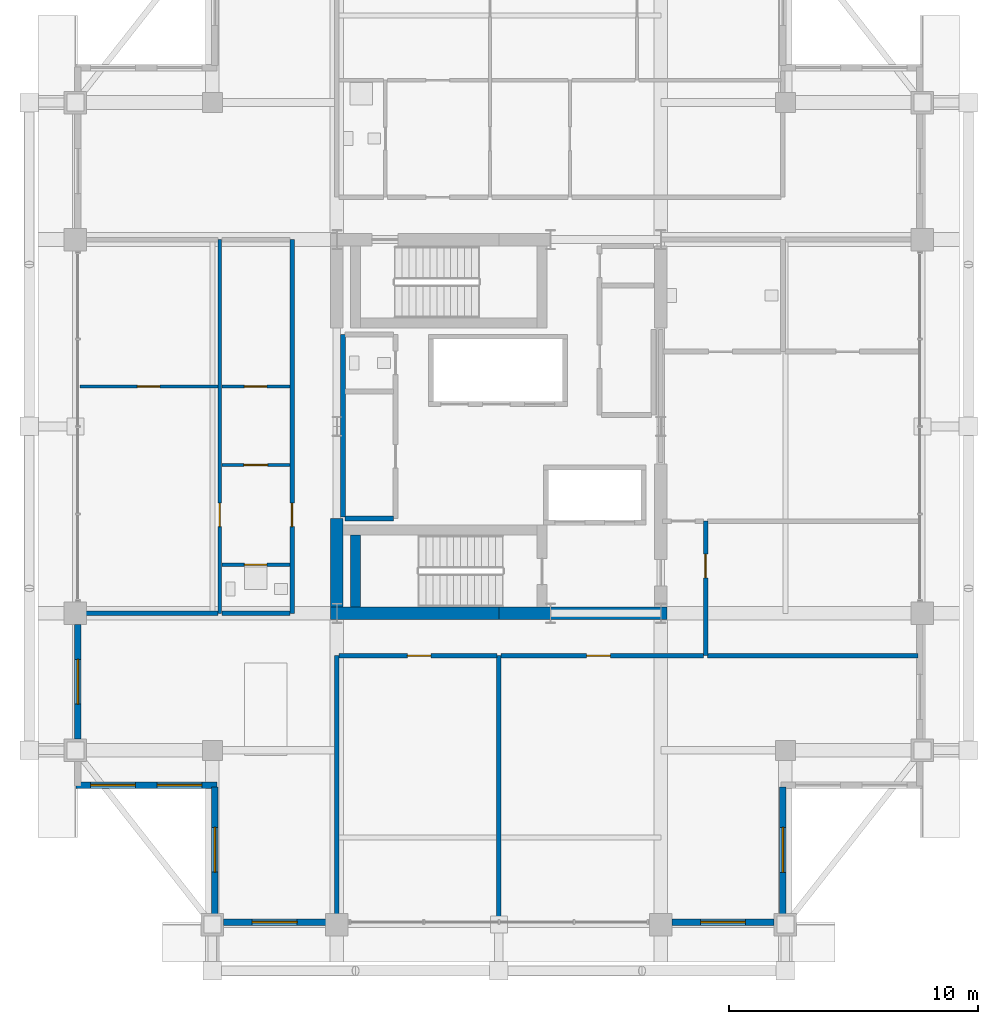
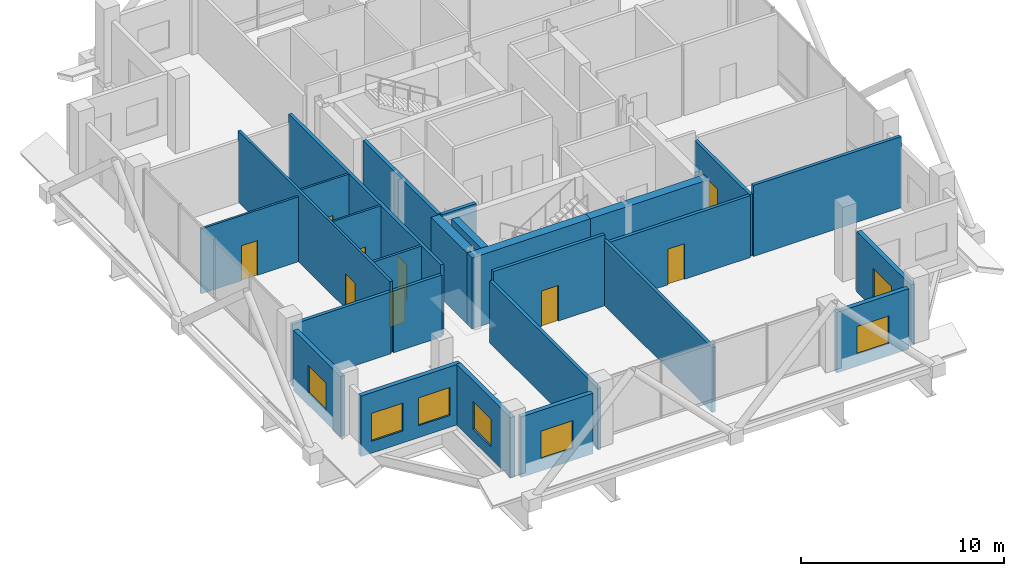
# One storey, part 20 of 27: 26 walls, 9 doors, 7 windows, 16 openings.
"""IFC4 building model written with IfcOpenShell, lengths in metres."""

from ifc_helpers import new_model, si_unit, direction, frame, frame_2d, origin, place, context, subcontext, project, spatial, rectangle, extrude, material, layer, layer_set, type_object, element, fill, save


model = new_model("IFC4")

# Units and contexts
model_context = context("Model", 3, precision=1e-05, world=origin(), true_north=direction((0.0, 1.0)))
body_context = subcontext(model_context, "Body", "Model", "MODEL_VIEW")
ifc_project = project(units=[si_unit("LENGTHUNIT", "METRE"), si_unit("AREAUNIT", "SQUARE_METRE"), si_unit("VOLUMEUNIT", "CUBIC_METRE"), si_unit("PLANEANGLEUNIT", "RADIAN"), si_unit("MASSUNIT", "GRAM", prefix="KILO")], contexts=[model_context])

# Site, building, storey
site_placement = place(None, origin())
site = spatial("IfcSite", under=ifc_project, at=site_placement, CompositionType="ELEMENT")
building_placement = place(site_placement, origin())
building = spatial("IfcBuilding", under=site, at=building_placement, Name="Barlavira Tower and Art Museum", CompositionType="ELEMENT")
storey_placement = place(building_placement, frame((0.0, 0.0, 217.800048828125)))
storey = spatial("IfcBuildingStorey", under=building, at=storey_placement, Name="L56", CompositionType="ELEMENT", Elevation=217.800048828125)

# Wall, opening, door
ifc_material_1 = material(Name="Gypsum acoustic stud partition", Category="gypsum")
ifc_layer_1 = layer(ifc_material_1, 0.1201171875, Name="Gypsum acoustic stud partition")
ifc_layer_set_1 = layer_set([ifc_layer_1], Name="Gypsum acoustic stud partition")
wall_type_1 = type_object("IfcWallType", Name="Apartment Internal Acoustic Partition 120", PredefinedType="PARTITIONING", material=ifc_layer_set_1)
wall_1_placement = place(storey_placement, frame((-11.1201171875, -1.550048828125, 0.0), z_axis=(0.0, 0.0, 1.0), x_axis=(1.0, 0.0, 0.0)))
wall_1 = element("IfcWall", 1, at=wall_1_placement, inside=storey, type_object=wall_type_1, Name="L56 Partition Wall 27", PredefinedType="PARTITIONING", context=body_context, shape_type="SweptSolid", body=[
    extrude(rectangle(XDim=2.740234375, YDim=0.1201171875, at=frame_2d((1.3701171875, 0.0))), origin(), (0.0, 0.0, 1.0), 4.280029296875),
])
opening_1_placement = place(wall_1_placement, frame((0.885009765625, 0.0, 0.0)))
opening_1 = element("IfcOpeningElement", 2, at=opening_1_placement, cuts=wall_1, Name="Opening D-02", PredefinedType="OPENING", context=body_context, shape_type="SweptSolid", body=[
    extrude(rectangle(XDim=0.949951171875, YDim=2.10009765625, at=frame_2d((0.47509765625, 1.050048828125))), frame((0.0, 0.070068359375, 0.0), z_axis=(0.0, -1.0, 0.0), x_axis=(1.0, 0.0, 0.0)), (0.0, 0.0, 1.0), 0.14013671875),
])
ifc_material_2 = material(Name="Engineered coastal hardwood", Category="wood")
door_type_1 = type_object("IfcDoorType", Name="Living and Salon Glazed-Leaf Door 950x2100", OperationType="NOTDEFINED", PredefinedType="DOOR", material=ifc_material_2)
door_1_placement = place(opening_1_placement, origin())
door_1 = element("IfcDoor", 3, at=door_1_placement, inside=storey, type_object=door_type_1, Name="Apartment SKY-W1 Kitchen Door", OperationType="SINGLE_SWING_RIGHT", OverallHeight=2.10009765625, OverallWidth=0.949951171875, PredefinedType="DOOR", context=body_context, shape_type="SweptSolid", body=[
    extrude(rectangle(XDim=0.949951171875, YDim=2.10009765625, at=frame_2d((0.47509765625, 1.050048828125))), frame((0.0, 0.02490234375, 0.0), z_axis=(0.0, -1.0, 0.0), x_axis=(1.0, 0.0, 0.0)), (0.0, 0.0, 1.0), 0.050048828125),
])
fill(opening_1, door_1)

wall_2_placement = place(storey_placement, frame((-16.820068359375, 1.60009765625, 0.0), z_axis=(0.0, 0.0, 1.0), x_axis=(1.0, 0.0, 0.0)))
wall_2 = element("IfcWall", 4, at=wall_2_placement, inside=storey, type_object=wall_type_1, Name="L56 Partition Wall 30", PredefinedType="PARTITIONING", context=body_context, shape_type="SweptSolid", body=[
    extrude(rectangle(XDim=5.5400390625, YDim=0.1201171875, at=frame_2d((2.77001953125, 0.0))), origin(), (0.0, 0.0, 1.0), 3.91796875),
])
opening_2_placement = place(wall_2_placement, frame((2.31005859375, 0.0, 0.0)))
opening_2 = element("IfcOpeningElement", 5, at=opening_2_placement, cuts=wall_2, Name="Opening D-01", PredefinedType="OPENING", context=body_context, shape_type="SweptSolid", body=[
    extrude(rectangle(XDim=0.89990234375, YDim=2.10009765625, at=frame_2d((0.449951171875, 1.050048828125))), frame((0.0, 0.070068359375, 0.0), z_axis=(0.0, -1.0, 0.0), x_axis=(1.0, 0.0, 0.0)), (0.0, 0.0, 1.0), 0.14013671875),
])
door_type_2 = type_object("IfcDoorType", Name="Internal Bedroom Timber Flush Door 900x2100", OperationType="NOTDEFINED", PredefinedType="DOOR", material=ifc_material_2)
door_2_placement = place(opening_2_placement, origin())
door_2 = element("IfcDoor", 6, at=door_2_placement, inside=storey, type_object=door_type_2, Name="Apartment SKY-W1 Bedroom 1 Door", OperationType="SINGLE_SWING_LEFT", OverallHeight=2.10009765625, OverallWidth=0.89990234375, PredefinedType="DOOR", context=body_context, shape_type="SweptSolid", body=[
    extrude(rectangle(XDim=0.89990234375, YDim=2.10009765625, at=frame_2d((0.449951171875, 1.050048828125))), frame((0.0, 0.02490234375, 0.0), z_axis=(0.0, -1.0, 0.0), x_axis=(1.0, 0.0, 0.0)), (0.0, 0.0, 1.0), 0.050048828125),
])
fill(opening_2, door_2)

wall_3_placement = place(storey_placement, frame((-11.1201171875, 1.60009765625, 0.0), z_axis=(0.0, 0.0, 1.0), x_axis=(1.0, 0.0, 0.0)))
wall_3 = element("IfcWall", 7, at=wall_3_placement, inside=storey, type_object=wall_type_1, Name="L56 Partition Wall 31", PredefinedType="PARTITIONING", context=body_context, shape_type="SweptSolid", body=[
    extrude(rectangle(XDim=2.740234375, YDim=0.1201171875, at=frame_2d((1.3701171875, 0.0))), origin(), (0.0, 0.0, 1.0), 4.280029296875),
])
opening_3_placement = place(wall_3_placement, frame((0.909912109375, 0.0, 0.0)))
opening_3 = element("IfcOpeningElement", 8, at=opening_3_placement, cuts=wall_3, Name="Opening D-01", PredefinedType="OPENING", context=body_context, shape_type="SweptSolid", body=[
    extrude(rectangle(XDim=0.89990234375, YDim=2.10009765625, at=frame_2d((0.449951171875, 1.050048828125))), frame((0.0, 0.070068359375, 0.0), z_axis=(0.0, -1.0, 0.0), x_axis=(1.0, 0.0, 0.0)), (0.0, 0.0, 1.0), 0.14013671875),
])
door_3_placement = place(opening_3_placement, origin())
door_3 = element("IfcDoor", 9, at=door_3_placement, inside=storey, type_object=door_type_2, Name="Apartment SKY-W1 Walk-In Dressing Room Door", OperationType="SINGLE_SWING_LEFT", OverallHeight=2.10009765625, OverallWidth=0.89990234375, PredefinedType="DOOR", context=body_context, shape_type="SweptSolid", body=[
    extrude(rectangle(XDim=0.89990234375, YDim=2.10009765625, at=frame_2d((0.449951171875, 1.050048828125))), frame((0.0, 0.02490234375, 0.0), z_axis=(0.0, -1.0, 0.0), x_axis=(1.0, 0.0, 0.0)), (0.0, 0.0, 1.0), 0.050048828125),
])
fill(opening_3, door_3)

# Walls
ifc_material_3 = material(Name="Concrete C60", Category="concrete")
ifc_layer_2 = layer(ifc_material_3, 0.5, Name="Concrete C60")
ifc_layer_set_2 = layer_set([ifc_layer_2], Name="Concrete C60")
wall_type_2 = type_object("IfcWallType", Name="Core Structural Shear Wall 500 Concrete C60", PredefinedType="SHEAR", material=ifc_layer_set_2)
for number, where, z_axis, x_axis, name in (
    (10, (-6.75, -7.5, 0.0), (0.0, 0.0, 1.0), (1.0, 0.0, 0.0), "L56 Core Shear Wall CS-SW"),
    (11, (0.0, -7.5, 0.0), (0.0, 0.0, 1.0), (1.0, 0.0, 0.0), "L56 Core Shear Wall CS-SE"),
):
    element("IfcWall", number, at=place(storey_placement, frame(where, z_axis=z_axis, x_axis=x_axis)), inside=storey, type_object=wall_type_2, Name=name, PredefinedType="SHEAR", context=body_context, shape_type="SweptSolid", body=[
        extrude(rectangle(XDim=6.75, YDim=0.5, at=frame_2d((3.375, 0.0))), origin(), (0.0, 0.0, 1.0), 4.280029296875),
    ])
wall_4_placement = place(storey_placement, frame((-6.5, -7.25, 0.0), z_axis=(0.0, 0.0, 1.0), x_axis=(0.0, 1.0, 0.0)))
element("IfcWall", 12, at=wall_4_placement, inside=storey, type_object=wall_type_2, Name="L56 Core Shear Wall CS-W1", PredefinedType="SHEAR", context=body_context, shape_type="SweptSolid", body=[
    extrude(rectangle(XDim=3.550048828125, YDim=0.5, at=frame_2d((1.77490234375, 0.0))), origin(), (0.0, 0.0, 1.0), 4.280029296875),
])
ifc_material_4 = material(Name="Autoclaved aerated concrete masonry", Category="masonry")
ifc_layer_3 = layer(ifc_material_4, 0.199951171875, Name="Autoclaved aerated concrete masonry")
ifc_layer_set_3 = layer_set([ifc_layer_3], Name="Autoclaved aerated concrete masonry")
wall_type_3 = type_object("IfcWallType", Name="Fire Compartment and Shaft Wall 200", PredefinedType="SOLIDWALL", material=ifc_layer_set_3)
wall_5_placement = place(storey_placement, frame((-6.25, -3.639892578125, 0.0), z_axis=(0.0, 0.0, 1.0), x_axis=(0.0, 1.0, 0.0)))
element("IfcWall", 13, at=wall_5_placement, inside=storey, type_object=wall_type_3, Name="L56 Partition Wall 5", PredefinedType="SOLIDWALL", context=body_context, shape_type="SweptSolid", body=[
    extrude(rectangle(XDim=7.33984375, YDim=0.199951171875, at=frame_2d((3.669921875, 0.0))), origin(), (0.0, 0.0, 1.0), 4.280029296875),
])
wall_6_placement = place(storey_placement, frame((-6.169921875, -3.699951171875, 0.0), z_axis=(0.0, 0.0, 1.0), x_axis=(1.0, 0.0, 0.0)))
element("IfcWall", 14, at=wall_6_placement, inside=storey, type_object=wall_type_3, Name="L56 Partition Wall 26", PredefinedType="SOLIDWALL", context=body_context, shape_type="SweptSolid", body=[
    extrude(rectangle(XDim=1.93994140625, YDim=0.199951171875, at=frame_2d((0.969970703125, 0.0))), origin(), (0.0, 0.0, 1.0), 4.280029296875),
])

# Wall, opening, door
ifc_layer_4 = layer(ifc_material_1, 0.179931640625, Name="Gypsum acoustic stud partition")
ifc_layer_set_4 = layer_set([ifc_layer_4], Name="Gypsum acoustic stud partition")
wall_type_4 = type_object("IfcWallType", Name="Inter-Tenancy Party Partition Wall 180", PredefinedType="PARTITIONING", material=ifc_layer_set_4)
wall_7_placement = place(storey_placement, frame((-8.300048828125, -7.5, 0.0), z_axis=(0.0, 0.0, 1.0), x_axis=(0.0, 1.0, 0.0)))
wall_7 = element("IfcWall", 15, at=wall_7_placement, inside=storey, type_object=wall_type_4, Name="L56 Partition Wall 2", PredefinedType="PARTITIONING", context=body_context, shape_type="SweptSolid", body=[
    extrude(rectangle(XDim=15.0, YDim=0.179931640625, at=frame_2d((7.5, 0.0))), origin(), (0.0, 0.0, 1.0), 4.280029296875),
])
opening_4_placement = place(wall_7_placement, frame((3.47509765625, 0.0, 0.0)))
opening_4 = element("IfcOpeningElement", 16, at=opening_4_placement, cuts=wall_7, Name="Opening FD-60", PredefinedType="OPENING", context=body_context, shape_type="SweptSolid", body=[
    extrude(rectangle(XDim=0.949951171875, YDim=2.14990234375, at=frame_2d((0.47509765625, 1.074951171875))), frame((0.0, 0.10009765625, 0.0), z_axis=(0.0, -1.0, 0.0), x_axis=(1.0, 0.0, 0.0)), (0.0, 0.0, 1.0), 0.199951171875),
])
ifc_material_5 = material(Name="Brushed stainless steel", Category="steel")
door_type_3 = type_object("IfcDoorType", Name="Apartment Entrance and Riser Fire Door 950x2150 FD60S", OperationType="NOTDEFINED", PredefinedType="DOOR", material=ifc_material_5)
door_4_placement = place(opening_4_placement, origin())
door_4 = element("IfcDoor", 17, at=door_4_placement, inside=storey, type_object=door_type_3, Name="Apartment Entrance Hall SKY-W1 Door", OperationType="SINGLE_SWING_LEFT", OverallHeight=2.14990234375, OverallWidth=0.949951171875, PredefinedType="DOOR", context=body_context, shape_type="SweptSolid", body=[
    extrude(rectangle(XDim=0.949951171875, YDim=2.14990234375, at=frame_2d((0.47509765625, 1.074951171875))), frame((0.0, 0.02490234375, 0.0), z_axis=(0.0, -1.0, 0.0), x_axis=(1.0, 0.0, 0.0)), (0.0, 0.0, 1.0), 0.050048828125),
])
fill(opening_4, door_4)

# Walls
wall_8_placement = place(storey_placement, frame((-6.5, -19.89990234375, 0.0), z_axis=(0.0, 0.0, 1.0), x_axis=(0.0, 1.0, 0.0)))
element("IfcWall", 18, at=wall_8_placement, inside=storey, type_object=wall_type_4, Name="L56 Partition Wall 3", PredefinedType="PARTITIONING", context=body_context, shape_type="SweptSolid", body=[
    extrude(rectangle(XDim=10.699951171875, YDim=0.179931640625, at=frame_2d((5.35009765625, 0.0))), origin(), (0.0, 0.0, 1.0), 3.725830078125),
])
wall_9_placement = place(storey_placement, frame((0.0, -19.89990234375, 0.0), z_axis=(0.0, 0.0, 1.0), x_axis=(0.0, 1.0, 0.0)))
element("IfcWall", 19, at=wall_9_placement, inside=storey, type_object=wall_type_4, Name="L56 Partition Wall 9", PredefinedType="PARTITIONING", context=body_context, shape_type="SweptSolid", body=[
    extrude(rectangle(XDim=10.699951171875, YDim=0.179931640625, at=frame_2d((5.35009765625, 0.0))), origin(), (0.0, 0.0, 1.0), 3.91796875),
])

# Wall, opening, door
wall_10_placement = place(storey_placement, frame((8.300048828125, -9.199951171875, 0.0), z_axis=(0.0, 0.0, 1.0), x_axis=(0.0, 1.0, 0.0)))
wall_10 = element("IfcWall", 20, at=wall_10_placement, inside=storey, type_object=wall_type_4, Name="L56 Partition Wall 15", PredefinedType="PARTITIONING", context=body_context, shape_type="SweptSolid", body=[
    extrude(rectangle(XDim=5.39990234375, YDim=0.179931640625, at=frame_2d((2.699951171875, 0.0))), origin(), (0.0, 0.0, 1.0), 3.725830078125),
])
opening_5_placement = place(wall_10_placement, frame((3.125, 0.0, 0.0)))
opening_5 = element("IfcOpeningElement", 21, at=opening_5_placement, cuts=wall_10, Name="Opening FD-60", PredefinedType="OPENING", context=body_context, shape_type="SweptSolid", body=[
    extrude(rectangle(XDim=0.949951171875, YDim=2.14990234375, at=frame_2d((0.47509765625, 1.074951171875))), frame((0.0, 0.10009765625, 0.0), z_axis=(0.0, -1.0, 0.0), x_axis=(1.0, 0.0, 0.0)), (0.0, 0.0, 1.0), 0.199951171875),
])
door_5_placement = place(opening_5_placement, origin())
door_5 = element("IfcDoor", 22, at=door_5_placement, inside=storey, type_object=door_type_3, Name="Shared Sky Cafe Preparation Kitchen Door", OperationType="SINGLE_SWING_LEFT", OverallHeight=2.14990234375, OverallWidth=0.949951171875, PredefinedType="DOOR", context=body_context, shape_type="SweptSolid", body=[
    extrude(rectangle(XDim=0.949951171875, YDim=2.14990234375, at=frame_2d((0.47509765625, 1.074951171875))), frame((0.0, 0.02490234375, 0.0), z_axis=(0.0, -1.0, 0.0), x_axis=(1.0, 0.0, 0.0)), (0.0, 0.0, 1.0), 0.050048828125),
])
fill(opening_5, door_5)

wall_11_placement = place(storey_placement, frame((-6.419921875, -9.199951171875, 0.0), z_axis=(0.0, 0.0, 1.0), x_axis=(1.0, 0.0, 0.0)))
wall_11 = element("IfcWall", 23, at=wall_11_placement, inside=storey, type_object=wall_type_4, Name="L56 Partition Wall 18", PredefinedType="PARTITIONING", context=body_context, shape_type="SweptSolid", body=[
    extrude(rectangle(XDim=6.33984375, YDim=0.179931640625, at=frame_2d((3.169921875, 0.0))), origin(), (0.0, 0.0, 1.0), 4.280029296875),
])
opening_6_placement = place(wall_11_placement, frame((2.7451171875, 0.0, 0.0)))
opening_6 = element("IfcOpeningElement", 24, at=opening_6_placement, cuts=wall_11, Name="Opening FD-60", PredefinedType="OPENING", context=body_context, shape_type="SweptSolid", body=[
    extrude(rectangle(XDim=0.949951171875, YDim=2.14990234375, at=frame_2d((0.47509765625, 1.074951171875))), frame((0.0, 0.10009765625, 0.0), z_axis=(0.0, -1.0, 0.0), x_axis=(1.0, 0.0, 0.0)), (0.0, 0.0, 1.0), 0.199951171875),
])
door_6_placement = place(opening_6_placement, origin())
door_6 = element("IfcDoor", 25, at=door_6_placement, inside=storey, type_object=door_type_3, Name="Sky Transfer Concierge Lounge Door", OperationType="SINGLE_SWING_LEFT", OverallHeight=2.14990234375, OverallWidth=0.949951171875, PredefinedType="DOOR", context=body_context, shape_type="SweptSolid", body=[
    extrude(rectangle(XDim=0.949951171875, YDim=2.14990234375, at=frame_2d((0.47509765625, 1.074951171875))), frame((0.0, 0.02490234375, 0.0), z_axis=(0.0, -1.0, 0.0), x_axis=(1.0, 0.0, 0.0)), (0.0, 0.0, 1.0), 0.050048828125),
])
fill(opening_6, door_6)

wall_12_placement = place(storey_placement, frame((0.080078125, -9.199951171875, 0.0), z_axis=(0.0, 0.0, 1.0), x_axis=(1.0, 0.0, 0.0)))
wall_12 = element("IfcWall", 26, at=wall_12_placement, inside=storey, type_object=wall_type_4, Name="L56 Partition Wall 19", PredefinedType="PARTITIONING", context=body_context, shape_type="SweptSolid", body=[
    extrude(rectangle(XDim=8.139892578125, YDim=0.179931640625, at=frame_2d((4.06982421875, 0.0))), origin(), (0.0, 0.0, 1.0), 3.725830078125),
])
opening_7_placement = place(wall_12_placement, frame((3.445068359375, 0.0, 0.0)))
opening_7 = element("IfcOpeningElement", 27, at=opening_7_placement, cuts=wall_12, Name="Opening FD-60", PredefinedType="OPENING", context=body_context, shape_type="SweptSolid", body=[
    extrude(rectangle(XDim=0.949951171875, YDim=2.14990234375, at=frame_2d((0.47509765625, 1.074951171875))), frame((0.0, 0.10009765625, 0.0), z_axis=(0.0, -1.0, 0.0), x_axis=(1.0, 0.0, 0.0)), (0.0, 0.0, 1.0), 0.199951171875),
])
door_7_placement = place(opening_7_placement, origin())
door_7 = element("IfcDoor", 28, at=door_7_placement, inside=storey, type_object=door_type_3, Name="Atlantic Horizon Sky Cafe and Bar Door", OperationType="SINGLE_SWING_RIGHT", OverallHeight=2.14990234375, OverallWidth=0.949951171875, PredefinedType="DOOR", context=body_context, shape_type="SweptSolid", body=[
    extrude(rectangle(XDim=0.949951171875, YDim=2.14990234375, at=frame_2d((0.47509765625, 1.074951171875))), frame((0.0, 0.02490234375, 0.0), z_axis=(0.0, -1.0, 0.0), x_axis=(1.0, 0.0, 0.0)), (0.0, 0.0, 1.0), 0.050048828125),
])
fill(opening_7, door_7)

# Walls
wall_13_placement = place(storey_placement, frame((8.3798828125, -9.199951171875, 0.0), z_axis=(0.0, 0.0, 1.0), x_axis=(1.0, 0.0, 0.0)))
element("IfcWall", 29, at=wall_13_placement, inside=storey, type_object=wall_type_4, Name="L56 Partition Wall 20", PredefinedType="PARTITIONING", context=body_context, shape_type="SweptSolid", body=[
    extrude(rectangle(XDim=8.440185546875, YDim=0.179931640625, at=frame_2d((4.22021484375, 0.0))), origin(), (0.0, 0.0, 1.0), 4.280029296875),
])
wall_14_placement = place(storey_placement, frame((-16.89990234375, -7.5, 0.0), z_axis=(0.0, 0.0, 1.0), x_axis=(1.0, 0.0, 0.0)))
element("IfcWall", 30, at=wall_14_placement, inside=storey, type_object=wall_type_4, Name="L56 Partition Wall 21", PredefinedType="PARTITIONING", context=body_context, shape_type="SweptSolid", body=[
    extrude(rectangle(XDim=5.619873046875, YDim=0.179931640625, at=frame_2d((2.81005859375, 0.0))), origin(), (0.0, 0.0, 1.0), 3.725830078125),
])
wall_15_placement = place(storey_placement, frame((-11.1201171875, -7.5, 0.0), z_axis=(0.0, 0.0, 1.0), x_axis=(1.0, 0.0, 0.0)))
element("IfcWall", 31, at=wall_15_placement, inside=storey, type_object=wall_type_4, Name="L56 Partition Wall 22", PredefinedType="PARTITIONING", context=body_context, shape_type="SweptSolid", body=[
    extrude(rectangle(XDim=2.740234375, YDim=0.179931640625, at=frame_2d((1.3701171875, 0.0))), origin(), (0.0, 0.0, 1.0), 3.725830078125),
])

# Wall, opening, door
ifc_layer_5 = layer(ifc_material_1, 0.139892578125, Name="Gypsum acoustic stud partition")
ifc_layer_set_5 = layer_set([ifc_layer_5], Name="Gypsum acoustic stud partition")
wall_type_5 = type_object("IfcWallType", Name="Moisture-Resistant Bathroom Partition 140", PredefinedType="PARTITIONING", material=ifc_layer_set_5)
wall_16_placement = place(storey_placement, frame((-11.199951171875, -7.5, 0.0), z_axis=(0.0, 0.0, 1.0), x_axis=(0.0, 1.0, 0.0)))
wall_16 = element("IfcWall", 32, at=wall_16_placement, inside=storey, type_object=wall_type_5, Name="L56 Partition Wall 1", PredefinedType="PARTITIONING", context=body_context, shape_type="SweptSolid", body=[
    extrude(rectangle(XDim=15.0, YDim=0.139892578125, at=frame_2d((7.5, 0.0))), origin(), (0.0, 0.0, 1.0), 4.280029296875),
])
opening_8_placement = place(wall_16_placement, frame((3.47509765625, 0.0, 0.0)))
opening_8 = element("IfcOpeningElement", 33, at=opening_8_placement, cuts=wall_16, Name="Opening D-02", PredefinedType="OPENING", context=body_context, shape_type="SweptSolid", body=[
    extrude(rectangle(XDim=0.949951171875, YDim=2.10009765625, at=frame_2d((0.47509765625, 1.050048828125))), frame((0.0, 0.080078125, 0.0), z_axis=(0.0, -1.0, 0.0), x_axis=(1.0, 0.0, 0.0)), (0.0, 0.0, 1.0), 0.159912109375),
])
door_8_placement = place(opening_8_placement, origin())
door_8 = element("IfcDoor", 34, at=door_8_placement, inside=storey, type_object=door_type_1, Name="Apartment SKY-W1 Living Lounge Door", OperationType="SINGLE_SWING_RIGHT", OverallHeight=2.10009765625, OverallWidth=0.949951171875, PredefinedType="DOOR", context=body_context, shape_type="SweptSolid", body=[
    extrude(rectangle(XDim=0.949951171875, YDim=2.10009765625, at=frame_2d((0.47509765625, 1.050048828125))), frame((0.0, 0.02490234375, 0.0), z_axis=(0.0, -1.0, 0.0), x_axis=(1.0, 0.0, 0.0)), (0.0, 0.0, 1.0), 0.050048828125),
])
fill(opening_8, door_8)

wall_17_placement = place(storey_placement, frame((-11.1201171875, -5.550048828125, 0.0), z_axis=(0.0, 0.0, 1.0), x_axis=(1.0, 0.0, 0.0)))
wall_17 = element("IfcWall", 35, at=wall_17_placement, inside=storey, type_object=wall_type_5, Name="L56 Partition Wall 23", PredefinedType="PARTITIONING", context=body_context, shape_type="SweptSolid", body=[
    extrude(rectangle(XDim=2.740234375, YDim=0.139892578125, at=frame_2d((1.3701171875, 0.0))), origin(), (0.0, 0.0, 1.0), 4.280029296875),
])
opening_9_placement = place(wall_17_placement, frame((0.909912109375, 0.0, 0.0)))
opening_9 = element("IfcOpeningElement", 36, at=opening_9_placement, cuts=wall_17, Name="Opening D-WC", PredefinedType="OPENING", context=body_context, shape_type="SweptSolid", body=[
    extrude(rectangle(XDim=0.89990234375, YDim=2.10009765625, at=frame_2d((0.449951171875, 1.050048828125))), frame((0.0, 0.080078125, 0.0), z_axis=(0.0, -1.0, 0.0), x_axis=(1.0, 0.0, 0.0)), (0.0, 0.0, 1.0), 0.159912109375),
])
door_type_4 = type_object("IfcDoorType", Name="Accessible Bathroom Flush Door 900x2100", OperationType="NOTDEFINED", PredefinedType="DOOR", material=ifc_material_2)
door_9_placement = place(opening_9_placement, origin())
door_9 = element("IfcDoor", 37, at=door_9_placement, inside=storey, type_object=door_type_4, Name="Apartment SKY-W1 Hall Bathroom Door", OperationType="SINGLE_SWING_RIGHT", OverallHeight=2.10009765625, OverallWidth=0.89990234375, PredefinedType="DOOR", context=body_context, shape_type="SweptSolid", body=[
    extrude(rectangle(XDim=0.89990234375, YDim=2.10009765625, at=frame_2d((0.449951171875, 1.050048828125))), frame((0.0, 0.02490234375, 0.0), z_axis=(0.0, -1.0, 0.0), x_axis=(1.0, 0.0, 0.0)), (0.0, 0.0, 1.0), 0.050048828125),
])
fill(opening_9, door_9)

# Wall, opening, window
ifc_material_6 = material(Name="Precast concrete C40", Category="concrete")
ifc_layer_6 = layer(ifc_material_6, 0.25, Name="Precast concrete C40")
ifc_layer_set_6 = layer_set([ifc_layer_6], Name="Precast concrete C40")
wall_type_6 = type_object("IfcWallType", Name="Notched Corner Spandrel Wall 250 Precast Concrete C40", PredefinedType="SOLIDWALL", material=ifc_layer_set_6)
wall_18_placement = place(storey_placement, frame((-11.054931640625, -19.89990234375, 0.0), z_axis=(0.0, 0.0, 1.0), x_axis=(1.0, 0.0, 0.0)))
wall_18 = element("IfcWall", 38, at=wall_18_placement, inside=storey, type_object=wall_type_6, Name="L56 Coastal Facade Pier Wall CW4-L56-S-1", PredefinedType="SOLIDWALL", context=body_context, shape_type="SweptSolid", body=[
    extrude(rectangle(XDim=4.10986328125, YDim=0.25, at=frame_2d((2.054931640625, 0.0))), origin(), (0.0, 0.0, 1.0), 3.64794921875),
])
opening_10_placement = place(wall_18_placement, frame((1.155029296875, 0.0, 0.719970703125)))
opening_10 = element("IfcOpeningElement", 39, at=opening_10_placement, cuts=wall_18, Name="Opening WN-01", PredefinedType="OPENING", context=body_context, shape_type="SweptSolid", body=[
    extrude(rectangle(XDim=1.800048828125, YDim=1.679931640625, at=frame_2d((0.89990234375, 0.83984375))), frame((0.0, 0.135009765625, 0.0), z_axis=(0.0, -1.0, 0.0), x_axis=(1.0, 0.0, 0.0)), (0.0, 0.0, 1.0), 0.27001953125),
])
ifc_material_7 = material(Name="Low-iron coastal laminated glass", Category="glass")
window_type = type_object("IfcWindowType", Name="Recessed Notch Corner Punch Window 1800x1680", PartitioningType="SINGLE_PANEL", PredefinedType="WINDOW", material=ifc_material_7)
window_1_placement = place(opening_10_placement, origin())
window_1 = element("IfcWindow", 40, at=window_1_placement, inside=storey, type_object=window_type, Name="L56 Punched Facade Window EWP-CW4-L56-S-1-1", OverallHeight=1.679931640625, OverallWidth=1.800048828125, PartitioningType="SINGLE_PANEL", PredefinedType="WINDOW", context=body_context, shape_type="SweptSolid", body=[
    extrude(rectangle(XDim=1.800048828125, YDim=1.679931640625, at=frame_2d((0.89990234375, 0.83984375))), frame((0.0, 0.030029296875, 0.0), z_axis=(0.0, -1.0, 0.0), x_axis=(1.0, 0.0, 0.0)), (0.0, 0.0, 1.0), 0.06005859375),
])
fill(opening_10, window_1)

wall_19_placement = place(storey_placement, frame((6.945068359375, -19.89990234375, 0.0), z_axis=(0.0, 0.0, 1.0), x_axis=(1.0, 0.0, 0.0)))
wall_19 = element("IfcWall", 41, at=wall_19_placement, inside=storey, type_object=wall_type_6, Name="L56 Coastal Facade Pier Wall CW4-L56-S-3", PredefinedType="SOLIDWALL", context=body_context, shape_type="SweptSolid", body=[
    extrude(rectangle(XDim=4.10986328125, YDim=0.25, at=frame_2d((2.054931640625, 0.0))), origin(), (0.0, 0.0, 1.0), 3.64794921875),
])
opening_11_placement = place(wall_19_placement, frame((1.155029296875, 0.0, 0.719970703125)))
opening_11 = element("IfcOpeningElement", 42, at=opening_11_placement, cuts=wall_19, Name="Opening WN-01", PredefinedType="OPENING", context=body_context, shape_type="SweptSolid", body=[
    extrude(rectangle(XDim=1.800048828125, YDim=1.679931640625, at=frame_2d((0.89990234375, 0.83984375))), frame((0.0, 0.135009765625, 0.0), z_axis=(0.0, -1.0, 0.0), x_axis=(1.0, 0.0, 0.0)), (0.0, 0.0, 1.0), 0.27001953125),
])
window_2_placement = place(opening_11_placement, origin())
window_2 = element("IfcWindow", 43, at=window_2_placement, inside=storey, type_object=window_type, Name="L56 Punched Facade Window EWP-CW4-L56-S-3-1", OverallHeight=1.679931640625, OverallWidth=1.800048828125, PartitioningType="SINGLE_PANEL", PredefinedType="WINDOW", context=body_context, shape_type="SweptSolid", body=[
    extrude(rectangle(XDim=1.800048828125, YDim=1.679931640625, at=frame_2d((0.89990234375, 0.83984375))), frame((0.0, 0.030029296875, 0.0), z_axis=(0.0, -1.0, 0.0), x_axis=(1.0, 0.0, 0.0)), (0.0, 0.0, 1.0), 0.06005859375),
])
fill(opening_11, window_2)

wall_20_placement = place(storey_placement, frame((-16.89990234375, -7.945068359375, 0.0), z_axis=(0.0, 0.0, 1.0), x_axis=(0.0, -1.0, 0.0)))
wall_20 = element("IfcWall", 44, at=wall_20_placement, inside=storey, type_object=wall_type_6, Name="L56 Coastal Facade Pier Wall CW4-L56-W-4", PredefinedType="SOLIDWALL", context=body_context, shape_type="SweptSolid", body=[
    extrude(rectangle(XDim=4.60986328125, YDim=0.25, at=frame_2d((2.304931640625, 0.0))), origin(), (0.0, 0.0, 1.0), 3.64794921875),
])
opening_12_placement = place(wall_20_placement, frame((1.405029296875, 0.0, 0.719970703125)))
opening_12 = element("IfcOpeningElement", 45, at=opening_12_placement, cuts=wall_20, Name="Opening WN-01", PredefinedType="OPENING", context=body_context, shape_type="SweptSolid", body=[
    extrude(rectangle(XDim=1.800048828125, YDim=1.679931640625, at=frame_2d((0.89990234375, 0.83984375))), frame((0.0, 0.135009765625, 0.0), z_axis=(0.0, -1.0, 0.0), x_axis=(1.0, 0.0, 0.0)), (0.0, 0.0, 1.0), 0.27001953125),
])
window_3_placement = place(opening_12_placement, origin())
window_3 = element("IfcWindow", 46, at=window_3_placement, inside=storey, type_object=window_type, Name="L56 Punched Facade Window EWP-CW4-L56-W-4-1", OverallHeight=1.679931640625, OverallWidth=1.800048828125, PartitioningType="SINGLE_PANEL", PredefinedType="WINDOW", context=body_context, shape_type="SweptSolid", body=[
    extrude(rectangle(XDim=1.800048828125, YDim=1.679931640625, at=frame_2d((0.89990234375, 0.83984375))), frame((0.0, 0.030029296875, 0.0), z_axis=(0.0, -1.0, 0.0), x_axis=(1.0, 0.0, 0.0)), (0.0, 0.0, 1.0), 0.06005859375),
])
fill(opening_12, window_3)

# Wall, openings, windows
wall_21_placement = place(storey_placement, frame((-16.97998046875, -14.39990234375, 0.0), z_axis=(0.0, 0.0, 1.0), x_axis=(1.0, 0.0, 0.0)))
wall_21 = element("IfcWall", 47, at=wall_21_placement, inside=storey, type_object=wall_type_6, Name="L56 Notch Corner Wall SW1", PredefinedType="SOLIDWALL", context=body_context, shape_type="SweptSolid", body=[
    extrude(rectangle(XDim=5.659912109375, YDim=0.25, at=frame_2d((2.830078125, 0.0))), origin(), (0.0, 0.0, 1.0), 3.64794921875),
])
opening_13_placement = place(wall_21_placement, frame((0.594970703125, 0.0, 0.719970703125)))
opening_13 = element("IfcOpeningElement", 48, at=opening_13_placement, cuts=wall_21, Name="Opening WN-01", PredefinedType="OPENING", context=body_context, shape_type="SweptSolid", body=[
    extrude(rectangle(XDim=1.800048828125, YDim=1.679931640625, at=frame_2d((0.89990234375, 0.83984375))), frame((0.0, 0.135009765625, 0.0), z_axis=(0.0, -1.0, 0.0), x_axis=(1.0, 0.0, 0.0)), (0.0, 0.0, 1.0), 0.27001953125),
])
opening_14_placement = place(wall_21_placement, frame((3.264892578125, 0.0, 0.719970703125)))
opening_14 = element("IfcOpeningElement", 49, at=opening_14_placement, cuts=wall_21, Name="Opening WN-01", PredefinedType="OPENING", context=body_context, shape_type="SweptSolid", body=[
    extrude(rectangle(XDim=1.800048828125, YDim=1.679931640625, at=frame_2d((0.89990234375, 0.83984375))), frame((0.0, 0.135009765625, 0.0), z_axis=(0.0, -1.0, 0.0), x_axis=(1.0, 0.0, 0.0)), (0.0, 0.0, 1.0), 0.27001953125),
])
window_4_placement = place(opening_13_placement, origin())
window_4 = element("IfcWindow", 50, at=window_4_placement, inside=storey, type_object=window_type, Name="L56 Punched Facade Window EW-NTC-L56-SW1-1", OverallHeight=1.679931640625, OverallWidth=1.800048828125, PartitioningType="SINGLE_PANEL", PredefinedType="WINDOW", context=body_context, shape_type="SweptSolid", body=[
    extrude(rectangle(XDim=1.800048828125, YDim=1.679931640625, at=frame_2d((0.89990234375, 0.83984375))), frame((0.0, 0.030029296875, 0.0), z_axis=(0.0, -1.0, 0.0), x_axis=(1.0, 0.0, 0.0)), (0.0, 0.0, 1.0), 0.06005859375),
])
fill(opening_13, window_4)
window_5_placement = place(opening_14_placement, origin())
window_5 = element("IfcWindow", 51, at=window_5_placement, inside=storey, type_object=window_type, Name="L56 Punched Facade Window EW-NTC-L56-SW1-2", OverallHeight=1.679931640625, OverallWidth=1.800048828125, PartitioningType="SINGLE_PANEL", PredefinedType="WINDOW", context=body_context, shape_type="SweptSolid", body=[
    extrude(rectangle(XDim=1.800048828125, YDim=1.679931640625, at=frame_2d((0.89990234375, 0.83984375))), frame((0.0, 0.030029296875, 0.0), z_axis=(0.0, -1.0, 0.0), x_axis=(1.0, 0.0, 0.0)), (0.0, 0.0, 1.0), 0.06005859375),
])
fill(opening_14, window_5)

# Wall, opening, window
wall_22_placement = place(storey_placement, frame((-11.39990234375, -14.47998046875, 0.0), z_axis=(0.0, 0.0, 1.0), x_axis=(0.0, -1.0, 0.0)))
wall_22 = element("IfcWall", 52, at=wall_22_placement, inside=storey, type_object=wall_type_6, Name="L56 Notch Corner Wall SW2", PredefinedType="SOLIDWALL", context=body_context, shape_type="SweptSolid", body=[
    extrude(rectangle(XDim=5.340087890625, YDim=0.25, at=frame_2d((2.669921875, 0.0))), origin(), (0.0, 0.0, 1.0), 3.64794921875),
])
opening_15_placement = place(wall_22_placement, frame((1.614990234375, 0.0, 0.719970703125)))
opening_15 = element("IfcOpeningElement", 53, at=opening_15_placement, cuts=wall_22, Name="Opening WN-01", PredefinedType="OPENING", context=body_context, shape_type="SweptSolid", body=[
    extrude(rectangle(XDim=1.800048828125, YDim=1.679931640625, at=frame_2d((0.89990234375, 0.83984375))), frame((0.0, 0.135009765625, 0.0), z_axis=(0.0, -1.0, 0.0), x_axis=(1.0, 0.0, 0.0)), (0.0, 0.0, 1.0), 0.27001953125),
])
window_6_placement = place(opening_15_placement, origin())
window_6 = element("IfcWindow", 54, at=window_6_placement, inside=storey, type_object=window_type, Name="L56 Punched Facade Window EW-NTC-L56-SW2-1", OverallHeight=1.679931640625, OverallWidth=1.800048828125, PartitioningType="SINGLE_PANEL", PredefinedType="WINDOW", context=body_context, shape_type="SweptSolid", body=[
    extrude(rectangle(XDim=1.800048828125, YDim=1.679931640625, at=frame_2d((0.89990234375, 0.83984375))), frame((0.0, 0.030029296875, 0.0), z_axis=(0.0, -1.0, 0.0), x_axis=(1.0, 0.0, 0.0)), (0.0, 0.0, 1.0), 0.06005859375),
])
fill(opening_15, window_6)

wall_23_placement = place(storey_placement, frame((11.39990234375, -19.820068359375, 0.0), z_axis=(0.0, 0.0, 1.0), x_axis=(0.0, 1.0, 0.0)))
wall_23 = element("IfcWall", 55, at=wall_23_placement, inside=storey, type_object=wall_type_6, Name="L56 Notch Corner Wall SE1", PredefinedType="SOLIDWALL", context=body_context, shape_type="SweptSolid", body=[
    extrude(rectangle(XDim=5.340087890625, YDim=0.25, at=frame_2d((2.669921875, 0.0))), origin(), (0.0, 0.0, 1.0), 3.64794921875),
])
opening_16_placement = place(wall_23_placement, frame((1.925048828125, 0.0, 0.719970703125)))
opening_16 = element("IfcOpeningElement", 56, at=opening_16_placement, cuts=wall_23, Name="Opening WN-01", PredefinedType="OPENING", context=body_context, shape_type="SweptSolid", body=[
    extrude(rectangle(XDim=1.800048828125, YDim=1.679931640625, at=frame_2d((0.89990234375, 0.83984375))), frame((0.0, 0.135009765625, 0.0), z_axis=(0.0, -1.0, 0.0), x_axis=(1.0, 0.0, 0.0)), (0.0, 0.0, 1.0), 0.27001953125),
])
window_7_placement = place(opening_16_placement, origin())
window_7 = element("IfcWindow", 57, at=window_7_placement, inside=storey, type_object=window_type, Name="L56 Punched Facade Window EW-NTC-L56-SE1-1", OverallHeight=1.679931640625, OverallWidth=1.800048828125, PartitioningType="SINGLE_PANEL", PredefinedType="WINDOW", context=body_context, shape_type="SweptSolid", body=[
    extrude(rectangle(XDim=1.800048828125, YDim=1.679931640625, at=frame_2d((0.89990234375, 0.83984375))), frame((0.0, 0.030029296875, 0.0), z_axis=(0.0, -1.0, 0.0), x_axis=(1.0, 0.0, 0.0)), (0.0, 0.0, 1.0), 0.06005859375),
])
fill(opening_16, window_7)

# Wall
ifc_material_8 = material(Name="Concrete C55", Category="concrete")
ifc_layer_7 = layer(ifc_material_8, 0.39990234375, Name="Concrete C55")
ifc_layer_set_7 = layer_set([ifc_layer_7], Name="Concrete C55")
wall_type_7 = type_object("IfcWallType", Name="Upper Core Shear Wall 400 Concrete C55", PredefinedType="SHEAR", material=ifc_layer_set_7)
wall_24_placement = place(storey_placement, frame((-5.75, -7.25, 0.0), z_axis=(0.0, 0.0, 1.0), x_axis=(0.0, 1.0, 0.0)))
element("IfcWall", 58, at=wall_24_placement, inside=storey, type_object=wall_type_7, Name="L56 ST-T1 West Half-Landing Wall", PredefinedType="SHEAR", context=body_context, shape_type="SweptSolid", body=[
    extrude(rectangle(XDim=2.89990234375, YDim=0.39990234375, at=frame_2d((1.449951171875, 0.0))), origin(), (0.0, 0.0, 1.0), 4.280029296875),
])

save(model, "model.ifc")
